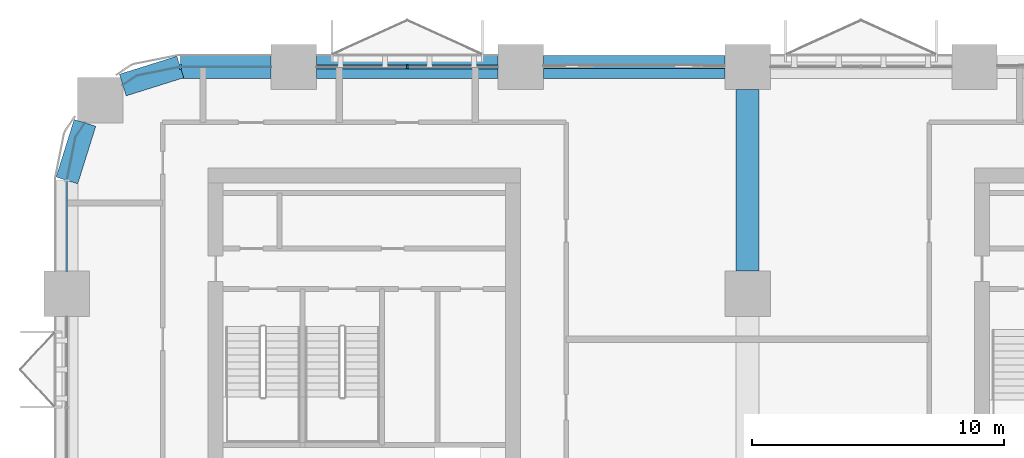
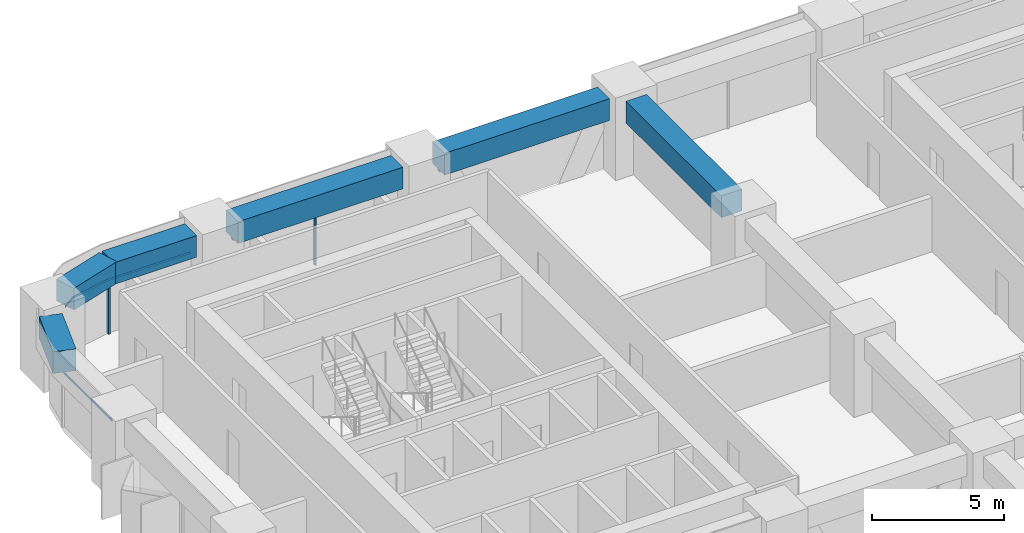
# One storey, part 7 of 18: 6 beams, 6 members, 4 elements without a shape of their own.
"""IFC4 building model written with IfcOpenShell, lengths in metres."""

from ifc_helpers import new_model, si_unit, direction, frame, origin, origin_2d, place, context, subcontext, project, spatial, polyline, rectangle, outline, extrude, material, material_profile, profile_set, type_object, element, aggregate, save


model = new_model("IFC4")

# Units and contexts
model_context = context("Model", 3, precision=1e-05, world=origin(), true_north=direction((0.0, 1.0)))
body_context = subcontext(model_context, "Body", "Model", "MODEL_VIEW")
ifc_project = project(units=[si_unit("LENGTHUNIT", "METRE"), si_unit("AREAUNIT", "SQUARE_METRE"), si_unit("VOLUMEUNIT", "CUBIC_METRE"), si_unit("PLANEANGLEUNIT", "RADIAN"), si_unit("MASSUNIT", "GRAM", prefix="KILO")], contexts=[model_context])

# Site, building, storey
site_placement = place(None, origin())
site = spatial("IfcSite", under=ifc_project, at=site_placement, CompositionType="ELEMENT")
building_placement = place(site_placement, origin())
building = spatial("IfcBuilding", under=site, at=building_placement, Name="Tessera Arch", CompositionType="ELEMENT")
storey_placement = place(building_placement, frame((0.0, 0.0, 89.199951171875)))
storey = spatial("IfcBuildingStorey", under=building, at=storey_placement, Name="L20", CompositionType="ELEMENT", Elevation=89.199951171875)

# Curtain wall, members
ifc_material_1 = material(Name="CW1 curtain wall")
curtain_wall_type_1 = type_object("IfcCurtainWallType", Name="CW1 curtain wall", PredefinedType="NOTDEFINED", material=ifc_material_1)
curtain_wall_1_placement = place(storey_placement, origin())
curtain_wall_1 = element("IfcCurtainWall", 1, at=curtain_wall_1_placement, inside=storey, type_object=curtain_wall_type_1, Name="CW1 curtain wall N54.0/3 L20", PredefinedType="NOTDEFINED")
ifc_material_2 = material(Name="Anodised aluminium pale metal", Category="aluminium")
ifc_material_profile_1 = material_profile(ifc_material_2, rectangle(XDim=0.159912109375, YDim=0.06005859375, at=origin_2d()), Name="AL 60x160")
ifc_profile_set_1 = profile_set([ifc_material_profile_1], Name="Anodised aluminium pale metal")
member_type_1 = type_object("IfcMemberType", Name="CW1 mullion", PredefinedType="MULLION", material=ifc_profile_set_1)
member_1_placement = place(storey_placement, frame((13.5, 54.0, 0.0), z_axis=(0.0, 0.0, 1.0), x_axis=(0.0, -1.0, 0.0)))
member_1 = element("IfcMember", 2, at=member_1_placement, type_object=member_type_1, Name="CW1 mullion N54.0/3 1", PredefinedType="MULLION", context=body_context, shape_type="SweptSolid", body=[
    extrude(rectangle(XDim=0.159912109375, YDim=0.06005859375, at=origin_2d()), origin(), (0.0, 0.0, 1.0), 2.400146484375),
])
ifc_material_3 = material(Name="Anodised aluminium pale metal", Category="aluminium")
ifc_material_profile_2 = material_profile(ifc_material_3, rectangle(XDim=0.159912109375, YDim=0.10009765625, at=origin_2d()), Name="AL 160x100")
ifc_profile_set_2 = profile_set([ifc_material_profile_2], Name="Anodised aluminium pale metal")
member_type_2 = type_object("IfcMemberType", Name="CW1 transom", PredefinedType="USERDEFINED", material=ifc_profile_set_2)
member_2_placement = place(storey_placement, frame((17.10009765625, 54.0, 2.449951171875), z_axis=(-1.0, 0.0, 0.0), x_axis=(0.0, -1.0, 0.0)))
member_2 = element("IfcMember", 3, at=member_2_placement, type_object=member_type_2, Name="CW1 transom N54.0/3 1.1", ObjectType="TRANSOM", PredefinedType="USERDEFINED", context=body_context, shape_type="SweptSolid", body=[
    extrude(rectangle(XDim=0.159912109375, YDim=0.10009765625, at=origin_2d()), origin(), (0.0, 0.0, 1.0), 7.2001953125),
])
aggregate(curtain_wall_1, [member_1, member_2])

ifc_material_4 = material(Name="CW2 curtain wall")
curtain_wall_type_2 = type_object("IfcCurtainWallType", Name="CW2 curtain wall", PredefinedType="NOTDEFINED", material=ifc_material_4)
curtain_wall_2_placement = place(storey_placement, origin())
curtain_wall_2 = element("IfcCurtainWall", 4, at=curtain_wall_2_placement, inside=storey, type_object=curtain_wall_type_2, Name="CW2 curtain wall N54.0/4 L20", PredefinedType="NOTDEFINED")
ifc_material_5 = material(Name="Anodised aluminium pale metal", Category="aluminium")
ifc_material_profile_3 = material_profile(ifc_material_5, rectangle(XDim=0.199951171875, YDim=0.080078125, at=origin_2d()), Name="AL 80x200")
ifc_profile_set_3 = profile_set([ifc_material_profile_3], Name="Anodised aluminium pale metal")
member_type_3 = type_object("IfcMemberType", Name="CW2 mullion", PredefinedType="MULLION", material=ifc_profile_set_3)
member_3_placement = place(storey_placement, frame((4.5, 54.0, 0.0), z_axis=(0.0, 0.0, 1.0), x_axis=(0.0, -1.0, 0.0)))
member_3 = element("IfcMember", 5, at=member_3_placement, type_object=member_type_3, Name="CW2 mullion N54.0/4 1", PredefinedType="MULLION", context=body_context, shape_type="SweptSolid", body=[
    extrude(rectangle(XDim=0.199951171875, YDim=0.080078125, at=origin_2d()), origin(), (0.0, 0.0, 1.0), 2.400146484375),
])
ifc_material_6 = material(Name="Anodised aluminium pale metal", Category="aluminium")
ifc_material_profile_4 = material_profile(ifc_material_6, rectangle(XDim=0.199951171875, YDim=0.10009765625, at=origin_2d()), Name="AL 200x100")
ifc_profile_set_4 = profile_set([ifc_material_profile_4], Name="Anodised aluminium pale metal")
member_type_4 = type_object("IfcMemberType", Name="CW2 transom", PredefinedType="USERDEFINED", material=ifc_profile_set_4)
member_4_placement = place(storey_placement, frame((0.0, 0.0, 2.400146484375)))
member_4 = element("IfcMember", 6, at=member_4_placement, type_object=member_type_4, Name="CW2 transom N54.0/4 1", ObjectType="TRANSOM", PredefinedType="USERDEFINED", context=body_context, shape_type="SweptSolid", body=[
    extrude(outline(polyline([(4.5009765625, 53.989990234375), (8.10009765625, 53.989990234375), (8.10009765625, 54.010009765625), (4.4990234375, 54.010009765625), (2.77392578125, 53.6669921875), (2.21240234375, 53.29150390625), (2.2236328125, 53.27490234375), (2.78173828125, 53.648193359375), (4.5009765625, 53.989990234375)])), origin(), (0.0, 0.0, 1.0), 0.099853515625),
])
aggregate(curtain_wall_2, [member_3, member_4])

# Curtain wall, member
curtain_wall_3_placement = place(storey_placement, origin())
curtain_wall_3 = element("IfcCurtainWall", 7, at=curtain_wall_3_placement, inside=storey, type_object=curtain_wall_type_2, Name="CW2 curtain wall W0.27/0 L20", PredefinedType="NOTDEFINED")
member_5_placement = place(storey_placement, frame((0.0, 0.0, 2.400146484375)))
member_5 = element("IfcMember", 8, at=member_5_placement, type_object=member_type_4, Name="CW2 transom W0.27/0 1", ObjectType="TRANSOM", PredefinedType="USERDEFINED", context=body_context, shape_type="SweptSolid", body=[
    extrude(outline(polyline([(0.351806640625, 51.21826171875), (0.72509765625, 51.7763671875), (0.70849609375, 51.78759765625), (0.3330078125, 51.22607421875), (-0.010009765625, 49.5009765625), (-0.010009765625, 45.89990234375), (0.010009765625, 45.89990234375), (0.010009765625, 49.4990234375), (0.351806640625, 51.21826171875)])), origin(), (0.0, 0.0, 1.0), 0.099853515625),
])
aggregate(curtain_wall_3, [member_5])

ifc_material_7 = material(Name="CW3 curtain wall")
curtain_wall_type_3 = type_object("IfcCurtainWallType", Name="CW3 curtain wall", PredefinedType="NOTDEFINED", material=ifc_material_7)
curtain_wall_4_placement = place(storey_placement, origin())
curtain_wall_4 = element("IfcCurtainWall", 9, at=curtain_wall_4_placement, inside=storey, type_object=curtain_wall_type_3, Name="CW3 curtain wall N54.0/2 L20", PredefinedType="NOTDEFINED")
ifc_material_8 = material(Name="Anodised aluminium pale metal", Category="aluminium")
ifc_material_profile_5 = material_profile(ifc_material_8, rectangle(XDim=0.139892578125, YDim=0.10009765625, at=origin_2d()), Name="AL 140x100")
ifc_profile_set_5 = profile_set([ifc_material_profile_5], Name="Anodised aluminium pale metal")
member_type_5 = type_object("IfcMemberType", Name="CW3 transom", PredefinedType="USERDEFINED", material=ifc_profile_set_5)
member_6_placement = place(storey_placement, frame((26.10009765625, 54.0, 2.449951171875), z_axis=(-1.0, 0.0, 0.0), x_axis=(0.0, -1.0, 0.0)))
member_6 = element("IfcMember", 10, at=member_6_placement, type_object=member_type_5, Name="CW3 transom N54.0/2 1.1", ObjectType="TRANSOM", PredefinedType="USERDEFINED", context=body_context, shape_type="SweptSolid", body=[
    extrude(rectangle(XDim=0.139892578125, YDim=0.10009765625, at=origin_2d()), origin(), (0.0, 0.0, 1.0), 7.2001953125),
])
aggregate(curtain_wall_4, [member_6])

# Beams
ifc_material_9 = material(Name="Concrete C80/95", Category="concrete")
ifc_material_profile_6 = material_profile(ifc_material_9, rectangle(XDim=0.89990234375, YDim=1.0, at=origin_2d()), Name="RC spandrel beam 900 x 1000 Concrete C80/95")
ifc_profile_set_6 = profile_set([ifc_material_profile_6], Name="Concrete C80/95")
beam_type = type_object("IfcBeamType", Name="RC spandrel beam 900 x 1000 Concrete C80/95", PredefinedType="BEAM", material=ifc_profile_set_6)
for number, where, z_axis, x_axis, name in (
    (11, (26.10009765625, 54.0, 3.0), (-1.0, 0.0, 0.0), (0.0, -1.0, 0.0), "Spandrel beam L20 N54.0/2"),
    (12, (17.10009765625, 54.0, 3.0), (-1.0, 0.0, 0.0), (0.0, -1.0, 0.0), "Spandrel beam L20 N54.0/3"),
):
    element("IfcBeam", number, at=place(storey_placement, frame(where, z_axis=z_axis, x_axis=x_axis)), inside=storey, type_object=beam_type, Name=name, PredefinedType="BEAM", context=body_context, shape_type="SweptSolid", body=[
        extrude(rectangle(XDim=0.89990234375, YDim=1.0, at=origin_2d()), origin(), (0.0, 0.0, 1.0), 7.2001953125),
    ])
beam_1_placement = place(storey_placement, frame((8.10009765625, 54.0, 3.0), z_axis=(-1.0, 0.0, 0.0), x_axis=(0.0, -1.0, 0.0)))
element("IfcBeam", 13, at=beam_1_placement, inside=storey, type_object=beam_type, Name="Spandrel beam L20 N54.0/4.1", PredefinedType="BEAM", context=body_context, shape_type="SweptSolid", body=[
    extrude(rectangle(XDim=0.89990234375, YDim=1.0, at=origin_2d()), origin(), (0.0, 0.0, 1.0), 3.60009765625),
])
for number, where, z_axis, x_axis, name in (
    (14, (4.5, 54.0, 3.0), (-0.954041251279, -0.299675309057, 0.0), (0.299675309057, -0.954041251279, 0.0), "Spandrel beam L20 N54.0/4.2"),
    (15, (0.716796875, 51.781982421875, 3.0), (-0.299675309057, -0.954041251279, 0.0), (0.954041251279, -0.299675309057, 0.0), "Spandrel beam L20 W0.27/0.1"),
):
    element("IfcBeam", number, at=place(storey_placement, frame(where, z_axis=z_axis, x_axis=x_axis)), inside=storey, type_object=beam_type, Name=name, PredefinedType="BEAM", context=body_context, shape_type="SweptSolid", body=[
        extrude(rectangle(XDim=0.89990234375, YDim=1.0, at=origin_2d()), origin(), (0.0, 0.0, 1.0), 2.391845703125),
    ])
beam_2_placement = place(storey_placement, frame((27.0, 45.89990234375, 3.0), z_axis=(0.0, 1.0, 0.0), x_axis=(-1.0, 0.0, 0.0)))
element("IfcBeam", 16, at=beam_2_placement, inside=storey, type_object=beam_type, Name="Interface beam L20 I0C4F-C4G", PredefinedType="BEAM", context=body_context, shape_type="SweptSolid", body=[
    extrude(rectangle(XDim=0.89990234375, YDim=1.0, at=origin_2d()), origin(), (0.0, 0.0, 1.0), 7.2001953125),
])

save(model, "model.ifc")
